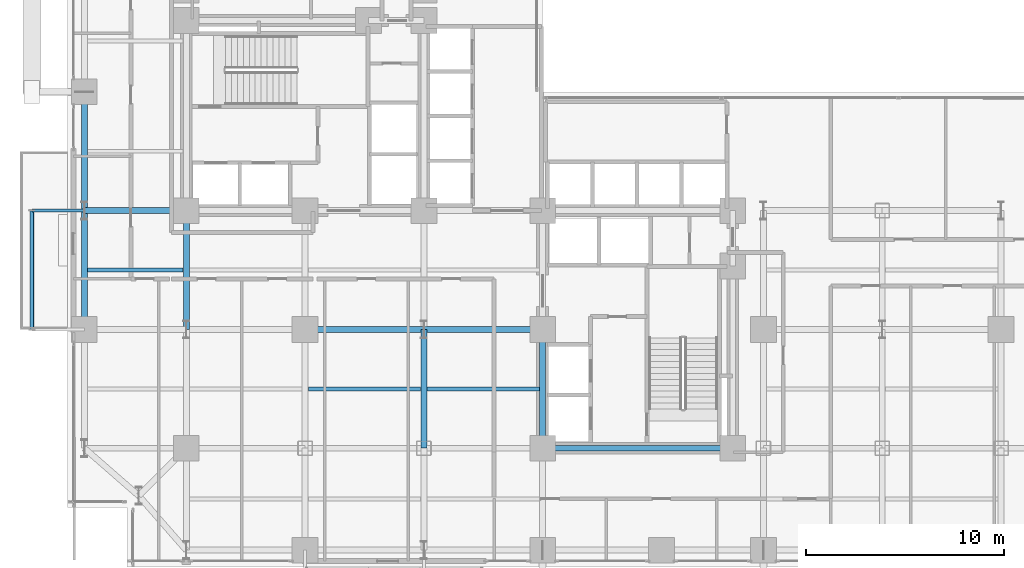
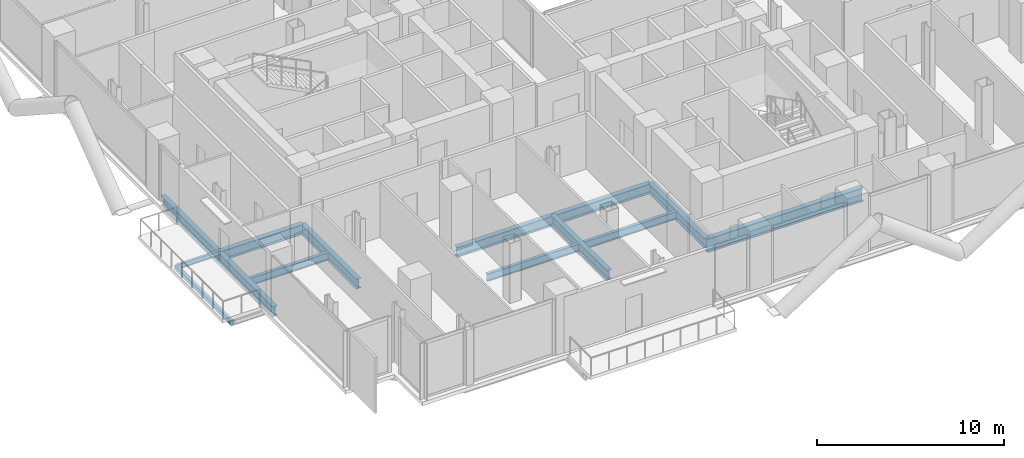
# One storey, part 4 of 25: 14 beams.
"""IFC4 building model written with IfcOpenShell, lengths in metres."""

from ifc_helpers import new_model, si_unit, direction, frame, origin, origin_2d, place, context, subcontext, project, spatial, hollow_rectangle, i_section, extrude, material, material_profile, profile_set, type_object, element, save


model = new_model("IFC4")

# Units and contexts
model_context = context("Model", 3, precision=1e-05, world=origin(), true_north=direction((0.0, 1.0)))
body_context = subcontext(model_context, "Body", "Model", "MODEL_VIEW")
ifc_project = project(units=[si_unit("LENGTHUNIT", "METRE"), si_unit("AREAUNIT", "SQUARE_METRE"), si_unit("VOLUMEUNIT", "CUBIC_METRE"), si_unit("PLANEANGLEUNIT", "RADIAN"), si_unit("MASSUNIT", "GRAM", prefix="KILO"), si_unit("THERMODYNAMICTEMPERATUREUNIT", "KELVIN"), si_unit("POWERUNIT", "WATT")], contexts=[model_context])

# Site, building, storey
site_placement = place(None, origin())
site = spatial("IfcSite", under=ifc_project, at=site_placement, CompositionType="ELEMENT")
building_placement = place(site_placement, origin())
building = spatial("IfcBuilding", under=site, at=building_placement, Name="Svarakhadi Broadcast Tower", CompositionType="ELEMENT")
storey_placement = place(building_placement, frame((0.0, 0.0, 51.89990234375)))
storey = spatial("IfcBuildingStorey", under=building, at=storey_placement, Name="L11", CompositionType="ELEMENT", Elevation=51.89990234375)

# Beams
ifc_material_1 = material(Name="Steel S355J2 (IS 2062 E350C)", Category="steel")
ifc_material_profile_1 = material_profile(ifc_material_1, i_section(OverallWidth=0.199951171875, OverallDepth=0.5, WebThickness=0.01025390625, FlangeThickness=0.01611328125, FilletRadius=0.02099609375, at=origin_2d()), Name="NPB 500x200x91")
ifc_profile_set_1 = profile_set([ifc_material_profile_1], Name="Steel S355J2 (IS 2062 E350C)")
beam_type_1 = type_object("IfcBeamType", Name="Beam_NPB500", PredefinedType="BEAM", material=ifc_profile_set_1)
beam_1_placement = place(storey_placement, frame((1.010009765625, 15.0, -0.5), z_axis=(1.0, 0.0, 0.0), x_axis=(0.0, 1.0, 0.0)))
element("IfcBeam", 1, at=beam_1_placement, inside=storey, type_object=beam_type_1, Name="L11 Secondary Composite Beam SB002", PredefinedType="BEAM", context=body_context, shape_type="SweptSolid", body=[
    extrude(i_section(OverallWidth=0.199951171875, OverallDepth=0.5, WebThickness=0.01025390625, FlangeThickness=0.01611328125, FilletRadius=0.02099609375, at=origin_2d()), origin(), (0.0, 0.0, 1.0), 4.830078125),
])
for number, where, z_axis, x_axis, name in (
    (2, (12.159912109375, 9.0, -0.5), (1.0, 0.0, 0.0), (0.0, 1.0, 0.0), "L11 Secondary Composite Beam SB014"),
    (3, (18.159912109375, 9.0, -0.5), (1.0, 0.0, 0.0), (0.0, 1.0, 0.0), "L11 Secondary Composite Beam SB020"),
):
    element("IfcBeam", number, at=place(storey_placement, frame(where, z_axis=z_axis, x_axis=x_axis)), inside=storey, type_object=beam_type_1, Name=name, PredefinedType="BEAM", context=body_context, shape_type="SweptSolid", body=[
        extrude(i_section(OverallWidth=0.199951171875, OverallDepth=0.5, WebThickness=0.01025390625, FlangeThickness=0.01611328125, FilletRadius=0.02099609375, at=origin_2d()), origin(), (0.0, 0.0, 1.0), 5.68017578125),
    ])
ifc_material_profile_2 = material_profile(ifc_material_1, i_section(OverallWidth=0.300048828125, OverallDepth=0.64990234375, WebThickness=0.01611328125, FlangeThickness=0.031005859375, FilletRadius=0.027099609375, at=origin_2d()), Name="WPB 650x300x225")
ifc_profile_set_2 = profile_set([ifc_material_profile_2], Name="Steel S355J2 (IS 2062 E350C)")
beam_type_2 = type_object("IfcBeamType", Name="Girder_WPB650", PredefinedType="USERDEFINED", material=ifc_profile_set_2)
for number, where, z_axis, x_axis, name in (
    (4, (12.0, 12.0, -0.574951171875), (1.0, 0.0, 0.0), (0.0, 1.0, 0.0), "L11 Primary E-W Girder G021"),
    (5, (18.0, 12.0, -0.574951171875), (1.0, 0.0, 0.0), (0.0, 1.0, 0.0), "L11 Primary E-W Girder G022"),
):
    element("IfcBeam", number, at=place(storey_placement, frame(where, z_axis=z_axis, x_axis=x_axis)), inside=storey, type_object=beam_type_2, Name=name, ObjectType="GIRDER", PredefinedType="USERDEFINED", context=body_context, shape_type="SweptSolid", body=[
        extrude(i_section(OverallWidth=0.300048828125, OverallDepth=0.64990234375, WebThickness=0.01611328125, FlangeThickness=0.031005859375, FilletRadius=0.027099609375, at=origin_2d()), origin(), (0.0, 0.0, 1.0), 6.0),
    ])
beam_2_placement = place(storey_placement, frame((0.85009765625, 18.0, -0.574951171875), z_axis=(1.0, 0.0, 0.0), x_axis=(0.0, 1.0, 0.0)))
element("IfcBeam", 6, at=beam_2_placement, inside=storey, type_object=beam_type_2, Name="L11 Primary E-W Girder G025", ObjectType="GIRDER", PredefinedType="USERDEFINED", context=body_context, shape_type="SweptSolid", body=[
    extrude(i_section(OverallWidth=0.300048828125, OverallDepth=0.64990234375, WebThickness=0.01611328125, FlangeThickness=0.031005859375, FilletRadius=0.027099609375, at=origin_2d()), origin(), (0.0, 0.0, 1.0), 5.14990234375),
])
for number, where, z_axis, x_axis, name in (
    (7, (0.85009765625, 12.0, -0.574951171875), (0.0, 1.0, 0.0), (-1.0, 0.0, 0.0), "L11 Primary N-S Girder G046"),
    (8, (0.85009765625, 18.0, -0.574951171875), (0.0, 1.0, 0.0), (-1.0, 0.0, 0.0), "L11 Primary N-S Girder G047"),
    (9, (6.0, 12.0, -0.574951171875), (0.0, 1.0, 0.0), (-1.0, 0.0, 0.0), "L11 Primary N-S Girder G053"),
    (10, (18.0, 6.0, -0.574951171875), (0.0, 1.0, 0.0), (-1.0, 0.0, 0.0), "L11 Primary N-S Girder G065"),
    (11, (24.0, 6.0, -0.574951171875), (0.0, 1.0, 0.0), (-1.0, 0.0, 0.0), "L11 Primary N-S Girder G072"),
):
    element("IfcBeam", number, at=place(storey_placement, frame(where, z_axis=z_axis, x_axis=x_axis)), inside=storey, type_object=beam_type_2, Name=name, ObjectType="GIRDER", PredefinedType="USERDEFINED", context=body_context, shape_type="SweptSolid", body=[
        extrude(i_section(OverallWidth=0.300048828125, OverallDepth=0.64990234375, WebThickness=0.01611328125, FlangeThickness=0.031005859375, FilletRadius=0.027099609375, at=origin_2d()), origin(), (0.0, 0.0, 1.0), 6.0),
    ])
ifc_material_2 = material(Name="Steel S460ML (IS 2062 E450BR)", Category="steel")
ifc_material_profile_3 = material_profile(ifc_material_2, i_section(OverallWidth=0.300048828125, OverallDepth=0.89990234375, WebThickness=0.0185546875, FlangeThickness=0.034912109375, FilletRadius=0.030029296875, at=origin_2d()), Name="WPB 900x300x291")
ifc_profile_set_3 = profile_set([ifc_material_profile_3], Name="Steel S460ML (IS 2062 E450BR)")
beam_type_3 = type_object("IfcBeamType", Name="Girder_WPB900", PredefinedType="USERDEFINED", material=ifc_profile_set_3)
beam_3_placement = place(storey_placement, frame((24.0, 6.0, -0.699951171875), z_axis=(1.0, 0.0, 0.0), x_axis=(0.0, 1.0, 0.0)))
element("IfcBeam", 12, at=beam_3_placement, inside=storey, type_object=beam_type_3, Name="L11 Primary E-W Girder G015", ObjectType="GIRDER", PredefinedType="USERDEFINED", context=body_context, shape_type="SweptSolid", body=[
    extrude(i_section(OverallWidth=0.300048828125, OverallDepth=0.89990234375, WebThickness=0.0185546875, FlangeThickness=0.034912109375, FilletRadius=0.030029296875, at=origin_2d()), origin(), (0.0, 0.0, 1.0), 9.60009765625),
])
ifc_material_profile_4 = material_profile(ifc_material_1, i_section(OverallWidth=0.14990234375, OverallDepth=0.300048828125, WebThickness=0.007080078125, FlangeThickness=0.0107421875, FilletRadius=0.014892578125, at=origin_2d()), Name="NPB 300x150x37")
ifc_profile_set_4 = profile_set([ifc_material_profile_4], Name="Steel S355J2 (IS 2062 E350C)")
beam_type_4 = type_object("IfcBeamType", Name="Spandrel_NPB300", PredefinedType="SPANDREL", material=ifc_profile_set_4)
beam_4_placement = place(storey_placement, frame((0.85009765625, 18.0, -0.39990234375), z_axis=(-1.0, 0.0, 0.0), x_axis=(0.0, -1.0, 0.0)))
element("IfcBeam", 13, at=beam_4_placement, inside=storey, type_object=beam_type_4, Name="L11 Balcony Cantilever Bracket 2B", PredefinedType="SPANDREL", context=body_context, shape_type="SweptSolid", body=[
    extrude(i_section(OverallWidth=0.14990234375, OverallDepth=0.300048828125, WebThickness=0.007080078125, FlangeThickness=0.0107421875, FilletRadius=0.014892578125, at=origin_2d()), origin(), (0.0, 0.0, 1.0), 2.650146484375),
])
ifc_material_profile_5 = material_profile(ifc_material_2, hollow_rectangle(XDim=0.199951171875, YDim=0.300048828125, WallThickness=0.012451171875, InnerFilletRadius=0.012451171875, OuterFilletRadius=0.02490234375, at=origin_2d()), Name="RHS 300x200x12.5")
ifc_profile_set_5 = profile_set([ifc_material_profile_5], Name="Steel S460ML (IS 2062 E450BR)")
beam_type_5 = type_object("IfcBeamType", Name="Spandrel_RHS300", PredefinedType="SPANDREL", material=ifc_profile_set_5)
beam_5_placement = place(storey_placement, frame((-1.800048828125, 12.0, -0.39990234375), z_axis=(0.0, 1.0, 0.0), x_axis=(-1.0, 0.0, 0.0)))
element("IfcBeam", 14, at=beam_5_placement, inside=storey, type_object=beam_type_5, Name="L11 Balcony Outer Spandrel 2F", PredefinedType="SPANDREL", context=body_context, shape_type="SweptSolid", body=[
    extrude(hollow_rectangle(XDim=0.199951171875, YDim=0.300048828125, WallThickness=0.012451171875, InnerFilletRadius=0.012451171875, OuterFilletRadius=0.02490234375, at=origin_2d()), origin(), (0.0, 0.0, 1.0), 6.0),
])

save(model, "model.ifc")
